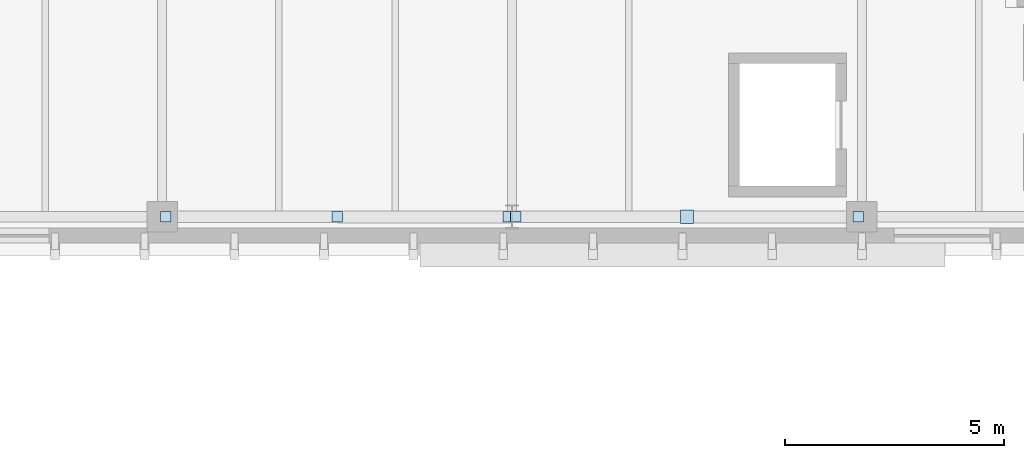
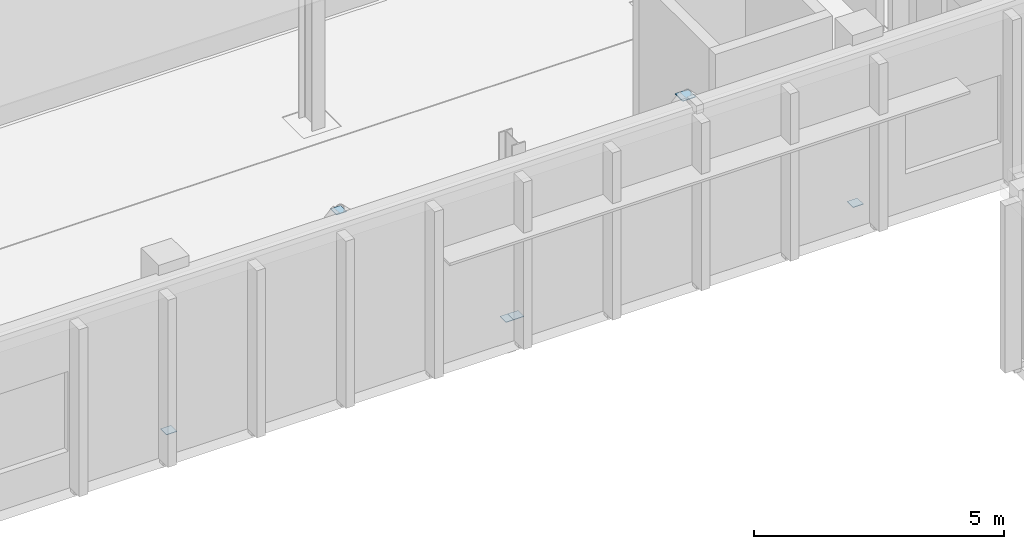
# One storey, part 61 of 100: 6 plates.
"""IFC4 building model written with IfcOpenShell, lengths in metres."""

from ifc_helpers import new_model, si_unit, direction, frame, origin, origin_2d, place, context, subcontext, project, spatial, rectangle, extrude, material, layer, layer_set, type_object, element, save


model = new_model("IFC4")

# Units and contexts
model_context = context("Model", 3, precision=1e-05, world=origin(), true_north=direction((0.0, 1.0)))
body_context = subcontext(model_context, "Body", "Model", "MODEL_VIEW")
ifc_project = project(units=[si_unit("LENGTHUNIT", "METRE"), si_unit("AREAUNIT", "SQUARE_METRE"), si_unit("VOLUMEUNIT", "CUBIC_METRE"), si_unit("PLANEANGLEUNIT", "RADIAN"), si_unit("MASSUNIT", "GRAM", prefix="KILO")], contexts=[model_context])

# Site, building, storey
site_placement = place(None, origin())
site = spatial("IfcSite", under=ifc_project, at=site_placement, CompositionType="ELEMENT")
building_placement = place(site_placement, origin())
building = spatial("IfcBuilding", under=site, at=building_placement, Name="Cymarion Research Institute", CompositionType="ELEMENT")
storey_placement = place(building_placement, frame((0.0, 0.0, 4.800048828125)))
storey = spatial("IfcBuildingStorey", under=building, at=storey_placement, Name="L01", CompositionType="ELEMENT", Elevation=4.800048828125)

# Plates
ifc_material = material(Name="Steel S355", Category="steel")
ifc_layer_1 = layer(ifc_material, 0.01806640625)
ifc_layer_set_1 = layer_set([ifc_layer_1], Name="Steel S355")
plate_type_1 = type_object("IfcPlateType", Name="STEEL NODE GUSSET PLATE CP01 18MM", PredefinedType="USERDEFINED", material=ifc_layer_set_1)
plate_placement = place(storey_placement, frame((26.60009765625, 47.5, 4.100830078125), z_axis=(0.0, 0.0, 1.0), x_axis=(1.0, 0.0, 0.0)))
element("IfcPlate", 1, at=plate_placement, inside=storey, type_object=plate_type_1, Name="L01 V4 chevron apex gusset plate", ObjectType="GUSSET PLATE", PredefinedType="USERDEFINED", context=body_context, shape_type="SweptSolid", body=[
    extrude(rectangle(XDim=0.300048828125, YDim=0.300048828125, at=origin_2d()), origin(), (0.0, 0.0, 1.0), 0.01806640625),
])
ifc_layer_2 = layer(ifc_material, 0.011962890625)
ifc_layer_set_2 = layer_set([ifc_layer_2], Name="Steel S355")
plate_type_2 = type_object("IfcPlateType", Name="STEEL NODE GUSSET PLATE CP02 12MM", PredefinedType="USERDEFINED", material=ifc_layer_set_2)
for number, where, z_axis, x_axis, name in (
    (2, (18.60009765625, 47.5, 4.10400390625), (0.0, 0.0, 1.0), (1.0, 0.0, 0.0), "L01 V4 chevron apex gusset plate"),
    (3, (14.68505859375, 47.5, 0.11376953125), (0.0, 0.0, 1.0), (1.0, 0.0, 0.0), "L01 V4 chevron base gusset plate #1"),
    (4, (22.514892578125, 47.5, 0.11376953125), (0.0, 0.0, 1.0), (1.0, 0.0, 0.0), "L01 V4 chevron base gusset plate #2"),
    (5, (22.68505859375, 47.5, 0.11376953125), (0.0, 0.0, 1.0), (1.0, 0.0, 0.0), "L01 V4 chevron base gusset plate #1"),
    (6, (30.514892578125, 47.5, 0.11376953125), (0.0, 0.0, 1.0), (1.0, 0.0, 0.0), "L01 V4 chevron base gusset plate #2"),
):
    element("IfcPlate", number, at=place(storey_placement, frame(where, z_axis=z_axis, x_axis=x_axis)), inside=storey, type_object=plate_type_2, Name=name, ObjectType="GUSSET PLATE", PredefinedType="USERDEFINED", context=body_context, shape_type="SweptSolid", body=[
        extrude(rectangle(XDim=0.239990234375, YDim=0.239990234375, at=origin_2d()), origin(), (0.0, 0.0, 1.0), 0.011962890625),
    ])

save(model, "model.ifc")
